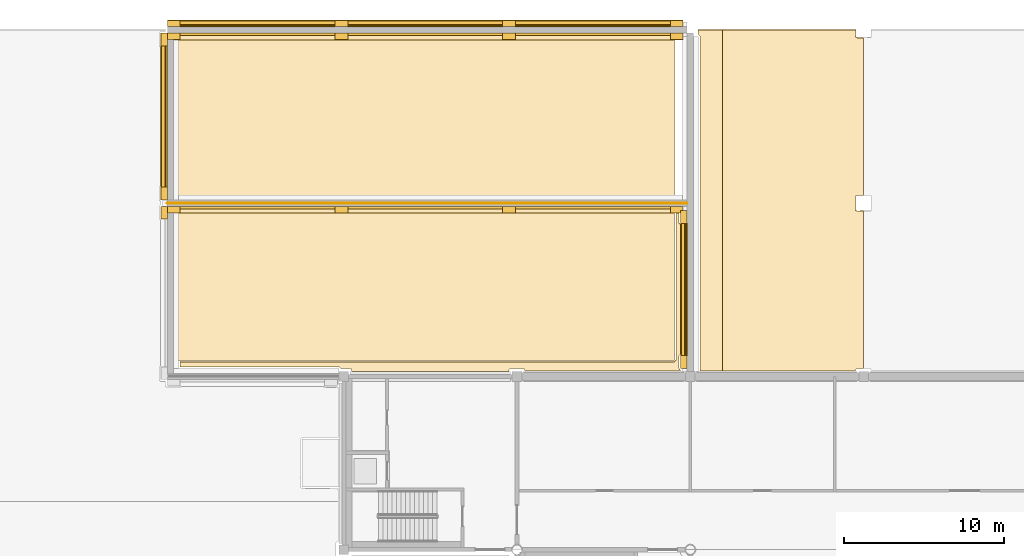
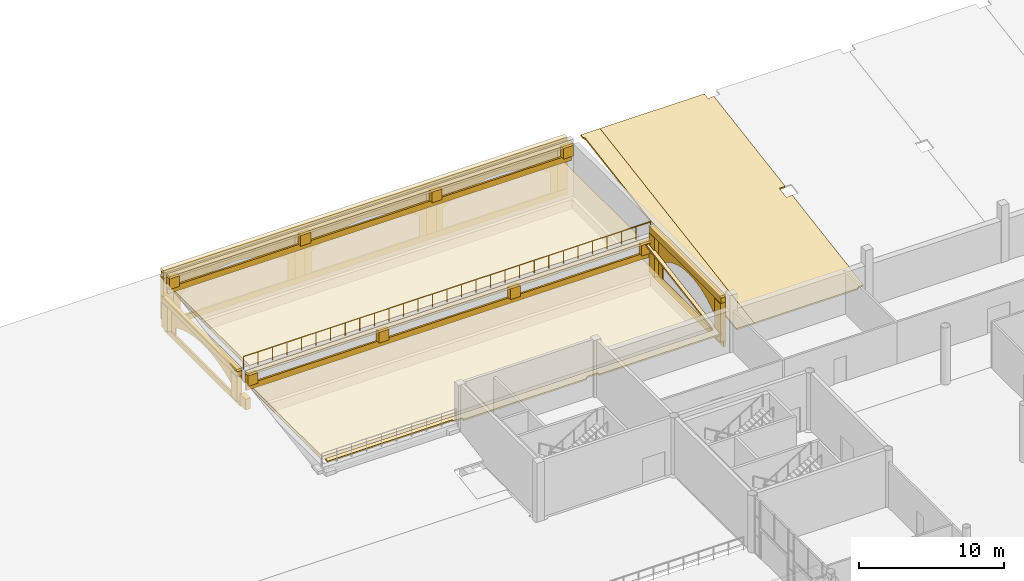
# One storey, part 85 of 91: 40 coverings, 1 railing.
"""IFC4 building model written with IfcOpenShell, lengths in metres."""

import ifcopenshell
import ifcopenshell.guid

model = None  # the IFC model being written
_history = None  # IfcOwnerHistory: only IFC2X3 demands one
_inside = {}  # id of a spatial element -> (the spatial element, [elements in it])
_under = {}  # id of a project, library or spatial element -> (it, [spatial elements below it])
_declared = {}  # id of a project -> (the project, [libraries it declares])
_typed = {}  # id of a type object -> (the type object, [elements of that type])
_made_of = {}  # id of a material, layer set ... -> (it, [elements and type objects made of it])


def new_model(schema):
    """Start an empty IFC model of exactly this schema.

    Asked for "IFC4X3", IfcOpenShell would pick the latest addendum, in which some entities
    have other attributes; the version numbers below select the first issue.
    IFC2X3 requires an IfcOwnerHistory on every rooted entity: one is made here for all.
    """
    global model, _history
    if schema == "IFC4X3":
        model = ifcopenshell.file(schema_version=(4, 3, 0, 0))
    else:
        model = ifcopenshell.file(schema=schema)
    _inside.clear()
    _under.clear()
    _declared.clear()
    _typed.clear()
    _made_of.clear()
    _history = None
    if model.schema == "IFC2X3":
        org = make("IfcOrganization", Name="unknown")
        user = make(
            "IfcPersonAndOrganization",
            ThePerson=make("IfcPerson", FamilyName="unknown"),
            TheOrganization=org,
        )
        app = make(
            "IfcApplication",
            ApplicationDeveloper=org,
            Version="unknown",
            ApplicationFullName="unknown",
            ApplicationIdentifier="unknown",
        )
        _history = make(
            "IfcOwnerHistory",
            OwningUser=user,
            OwningApplication=app,
            ChangeAction="ADDED",
            CreationDate=0,
        )
    return model


def make(cls, **values):
    """One entity of the class cls with the attributes given. An attribute that is None is left unset."""
    return model.create_entity(
        cls, **{name: value for name, value in values.items() if value is not None}
    )


def rooted(cls, **values):
    """An entity with a GlobalId (a new one), such as an element, a storey or a relation."""
    return make(cls, GlobalId=ifcopenshell.guid.new(), OwnerHistory=_history, **values)


def si_unit(unit_type, name, prefix=None):
    """IfcSIUnit, for example si_unit("LENGTHUNIT", "METRE", prefix="MILLI")."""
    return make("IfcSIUnit", UnitType=unit_type, Prefix=prefix, Name=name)


def assignment(units):
    """IfcUnitAssignment: the units of a project."""
    return None if units is None else make("IfcUnitAssignment", Units=units)


def point(xyz):
    """IfcCartesianPoint."""
    return None if xyz is None else make("IfcCartesianPoint", Coordinates=xyz)


def direction(xyz):
    """IfcDirection."""
    return None if xyz is None else make("IfcDirection", DirectionRatios=xyz)


def frame(location, z_axis=None, x_axis=None):
    """IfcAxis2Placement3D, a coordinate frame: its origin and axes. An axis left out is left unset."""
    return make(
        "IfcAxis2Placement3D",
        Location=point(location),
        Axis=direction(z_axis),
        RefDirection=direction(x_axis),
    )


def frame_2d(location, x_axis=None):
    """IfcAxis2Placement2D, a coordinate frame in the plane: its origin and x axis."""
    return make(
        "IfcAxis2Placement2D", Location=point(location), RefDirection=direction(x_axis)
    )


def origin():
    """The frame at (0, 0, 0) with its axes left unset."""
    return frame((0.0, 0.0, 0.0))


def origin_2d():
    """The frame at (0, 0) in the plane with its x axis left unset."""
    return frame_2d((0.0, 0.0))


def place(relative_to, where):
    """IfcLocalPlacement: puts the frame where relative to a parent placement (None: the world)."""
    return make(
        "IfcLocalPlacement", PlacementRelTo=relative_to, RelativePlacement=where
    )


def context(
    kind, dimensions, precision=None, world=None, true_north=None, identifier=None
):
    """IfcGeometricRepresentationContext, for example the 3D "Model" context."""
    return make(
        "IfcGeometricRepresentationContext",
        ContextIdentifier=identifier,
        ContextType=kind,
        CoordinateSpaceDimension=dimensions,
        Precision=precision,
        WorldCoordinateSystem=world,
        TrueNorth=true_north,
    )


def subcontext(parent, identifier, kind, view, scale=None):
    """IfcGeometricRepresentationSubContext, for example "Body" below "Model"."""
    return make(
        "IfcGeometricRepresentationSubContext",
        ContextIdentifier=identifier,
        ContextType=kind,
        ParentContext=parent,
        TargetScale=scale,
        TargetView=view,
    )


def project(units=None, contexts=None):
    """IfcProject with its units and contexts."""
    return rooted(
        "IfcProject",
        Name="project",
        RepresentationContexts=contexts,
        UnitsInContext=assignment(units),
    )


def spatial(cls, under=None, at=None, **own):
    """A site, building, storey or space (cls), placed at a placement, below another one or the project."""
    s = rooted(cls, ObjectPlacement=at, **own)
    if under is not None:
        _under.setdefault(under.id(), (under, []))[1].append(s)
    return s


def polyline(points):
    """IfcPolyline through the points."""
    return make("IfcPolyline", Points=[point(p) for p in points])


def profile(cls, at=None, kind="AREA", **sizes):
    """A parametric profile (cls). Its sizes go by their IFC names, for example OverallWidth=200.0."""
    return make(cls, ProfileType=kind, Position=at, **sizes)


def rectangle(**sizes):
    """IfcRectangleProfileDef."""
    return profile("IfcRectangleProfileDef", **sizes)


def circle(**sizes):
    """IfcCircleProfileDef."""
    return profile("IfcCircleProfileDef", **sizes)


def outline(outer, holes=None, kind="AREA"):
    """IfcArbitraryClosedProfileDef: a profile drawn as a closed curve; with holes, ...WithVoids."""
    if holes is None:
        return make("IfcArbitraryClosedProfileDef", ProfileType=kind, OuterCurve=outer)
    return make(
        "IfcArbitraryProfileDefWithVoids",
        ProfileType=kind,
        OuterCurve=outer,
        InnerCurves=holes,
    )


def extrude(swept, where, along, depth):
    """IfcExtrudedAreaSolid: the profile swept, set in the frame where, extruded along a direction by depth."""
    return make(
        "IfcExtrudedAreaSolid",
        SweptArea=swept,
        Position=where,
        ExtrudedDirection=direction(along),
        Depth=depth,
    )


def shape(context_of_items, identifier, shape_type, items):
    """IfcShapeRepresentation: the items that make up one representation, for example the "Body"."""
    return make(
        "IfcShapeRepresentation",
        ContextOfItems=context_of_items,
        RepresentationIdentifier=identifier,
        RepresentationType=shape_type,
        Items=items,
    )


def material(Name=None, Category=None):
    """IfcMaterial."""
    return make("IfcMaterial", Name=Name, Category=Category)


def layer(
    of_material, thickness, ventilated=None, Name=None, Category=None, Priority=None
):
    """IfcMaterialLayer: one layer of a wall or slab, of a material (None: an air gap)."""
    return make(
        "IfcMaterialLayer",
        Material=of_material,
        LayerThickness=thickness,
        IsVentilated=ventilated,
        Name=Name,
        Category=Category,
        Priority=Priority,
    )


def layer_set(layers, Name=None):
    """IfcMaterialLayerSet."""
    return make("IfcMaterialLayerSet", MaterialLayers=layers, LayerSetName=Name)


def made_of(thing, what):
    """Note that an element or type object is made of a material, layer set ...; save() writes the relation."""
    if what is not None:
        _made_of.setdefault(what.id(), (what, []))[1].append(thing)
    return thing


def type_object(cls, material=None, **own):
    """A type object (cls), such as IfcWallType, which elements share."""
    return made_of(rooted(cls, **own), material)


def element(
    cls,
    number,
    at=None,
    inside=None,
    cuts=None,
    type_object=None,
    material=None,
    context=None,
    identifier="Body",
    shape_type=None,
    held_by="IfcProductDefinitionShape",
    body=None,
    shapes=None,
    **own,
):
    """One element of the class cls, such as IfcWall. Its Tag is "e" and its number.

    at: its placement. inside: the storey or other place that contains it. cuts: it is an
    opening in that element (IfcRelVoidsElement). A single representation is given by context,
    identifier, shape_type and body (its items); several are given by shapes. held_by: the class
    of the entity that holds the representations. save() writes the other relations.
    """
    e = rooted(cls, Tag="e%d" % number, ObjectPlacement=at, **own)
    if body is not None:
        shapes = [shape(context, identifier, shape_type, body)]
    if shapes is not None:
        e.Representation = make(held_by, Representations=shapes)
    if inside is not None:
        _inside.setdefault(inside.id(), (inside, []))[1].append(e)
    if cuts is not None:
        rooted(
            "IfcRelVoidsElement", RelatingBuildingElement=cuts, RelatedOpeningElement=e
        )
    if type_object is not None:
        _typed.setdefault(type_object.id(), (type_object, []))[1].append(e)
    return made_of(e, material)


def aggregate(whole, parts):
    """IfcRelAggregates: a whole, such as a stair, and the parts it consists of."""
    return rooted("IfcRelAggregates", RelatingObject=whole, RelatedObjects=parts)


def save(model, path):
    """Write the relations noted so far, then the file.

    IfcRelAggregates (storeys below a building ...), IfcRelContainedInSpatialStructure (elements
    in a storey), IfcRelDefinesByType, IfcRelAssociatesMaterial and IfcRelDeclares: one each for
    every whole, place, type object, material and project.
    """
    for whole, parts in _under.values():
        aggregate(whole, parts)
    for where, things in _inside.values():
        rooted(
            "IfcRelContainedInSpatialStructure",
            RelatedElements=things,
            RelatingStructure=where,
        )
    for kind, things in _typed.values():
        rooted("IfcRelDefinesByType", RelatedObjects=things, RelatingType=kind)
    for what, things in _made_of.values():
        rooted("IfcRelAssociatesMaterial", RelatedObjects=things, RelatingMaterial=what)
    for by, libraries in _declared.values():
        rooted("IfcRelDeclares", RelatingContext=by, RelatedDefinitions=libraries)
    model.write(path)


model = new_model("IFC4")

# Units and contexts
model_context = context("Model", 3, precision=1e-05, world=origin(), true_north=direction((0.0, 1.0)))
body_context = subcontext(model_context, "Body", "Model", "MODEL_VIEW")
ifc_project = project(units=[si_unit("LENGTHUNIT", "METRE"), si_unit("AREAUNIT", "SQUARE_METRE"), si_unit("VOLUMEUNIT", "CUBIC_METRE"), si_unit("PLANEANGLEUNIT", "RADIAN"), si_unit("MASSUNIT", "GRAM", prefix="KILO")], contexts=[model_context])

# Site, building, storey
site_placement = place(None, origin())
site = spatial("IfcSite", under=ifc_project, at=site_placement, CompositionType="ELEMENT")
building_placement = place(site_placement, origin())
building = spatial("IfcBuilding", under=site, at=building_placement, Name="Magnolia Steps Interchange", CompositionType="ELEMENT")
storey_placement = place(building_placement, origin())
storey = spatial("IfcBuildingStorey", under=building, at=storey_placement, Name="L00", CompositionType="ELEMENT", Elevation=0.0)

# Coverings
ifc_material_1 = material(Name="Lime render")
ifc_layer_1 = layer(ifc_material_1, 0.080078125)
ifc_layer_set_1 = layer_set([ifc_layer_1], Name="Lime render arch infill")
covering_type_1 = type_object("IfcCoveringType", Name="Lime render arch infill", PredefinedType="CLADDING", material=ifc_layer_set_1)
covering_1_placement = place(storey_placement, frame((63.800048828125, 98.25, 0.5), z_axis=(1.0, 0.0, 0.0), x_axis=(0.0, 0.0, 1.0)))
element("IfcCovering", 1, at=covering_1_placement, inside=storey, type_object=covering_type_1, Name="Blind arch retaining wall west 1.1", PredefinedType="CLADDING", context=body_context, shape_type="SweptSolid", body=[
    extrude(outline(polyline([(0.0, 0.0), (1.399902344, 0.0), (1.703613281, -0.397216797), (1.955566406, -0.794433594), (2.163818359, -1.191650391), (2.333496094, -1.588867188), (2.468505859, -1.986083984), (2.570800781, -2.383300781), (2.643066406, -2.780517578), (2.685791016, -3.177734375), (2.699951172, -3.574951172), (2.685791016, -3.972167969), (2.643066406, -4.369384766), (2.570800781, -4.766601562), (2.468505859, -5.163818359), (2.333496094, -5.561035156), (2.163818359, -5.958251953), (1.955566406, -6.355712891), (1.703613281, -6.752685547), (1.399902344, -7.149902344), (0.0, -7.149902344), (0.0, -7.699951172), (3.25, -7.699951172), (3.25, 0.550048828), (0.0, 0.550048828), (0.0, 0.0)])), origin(), (0.0, 0.0, -1.0), 0.080078125),
])
covering_2_placement = place(storey_placement, frame((32.75, 118.199951171875, 0.5), z_axis=(0.0, -1.0, 0.0), x_axis=(0.0, 0.0, 1.0)))
element("IfcCovering", 2, at=covering_2_placement, inside=storey, type_object=covering_type_1, Name="Blind arch terrace street wall W 1.1", PredefinedType="CLADDING", context=body_context, shape_type="SweptSolid", body=[
    extrude(outline(polyline([(0.0, 0.0), (1.800048828, 0.0), (2.093994141, -0.475097656), (2.342773438, -0.949951172), (2.551513672, -1.425048828), (2.723388672, -1.899902344), (2.861083984, -2.375), (2.966552734, -2.850097656), (3.041015625, -3.324951172), (3.085205078, -3.800048828), (3.100097656, -4.274902344), (3.085205078, -4.75), (3.041015625, -5.225097656), (2.966552734, -5.699951172), (2.861083984, -6.175048828), (2.723388672, -6.649902344), (2.551513672, -7.125), (2.342773438, -7.600097656), (2.093994141, -8.074951172), (1.800048828, -8.550048828), (0.0, -8.550048828), (0.0, -9.100097656), (3.649902344, -9.100097656), (3.649902344, 0.550048828), (0.0, 0.550048828), (0.0, 0.0)])), origin(), (0.0, 0.0, -1.0), 0.080078125),
])
covering_3_placement = place(storey_placement, frame((43.199951171875, 118.199951171875, 0.5), z_axis=(0.0, -1.0, 0.0), x_axis=(0.0, 0.0, 1.0)))
element("IfcCovering", 3, at=covering_3_placement, inside=storey, type_object=covering_type_1, Name="Blind arch terrace street wall W 1.2", PredefinedType="CLADDING", context=body_context, shape_type="SweptSolid", body=[
    extrude(outline(polyline([(0.0, 0.0), (1.800048828, 0.0), (2.093994141, -0.475097656), (2.342773438, -0.949951172), (2.551513672, -1.425048828), (2.723388672, -1.900146484), (2.861083984, -2.375), (2.966552734, -2.850097656), (3.041015625, -3.324951172), (3.085205078, -3.800048828), (3.100097656, -4.275146484), (3.085205078, -4.75), (3.041015625, -5.225097656), (2.966552734, -5.699951172), (2.861083984, -6.175048828), (2.723388672, -6.650146484), (2.551513672, -7.125), (2.342773438, -7.600097656), (2.093994141, -8.074951172), (1.800048828, -8.550048828), (0.0, -8.550048828), (0.0, -9.100097656), (3.649902344, -9.100097656), (3.649902344, 0.550048828), (0.0, 0.550048828), (0.0, 0.0)])), origin(), (0.0, 0.0, -1.0), 0.080078125),
])
covering_4_placement = place(storey_placement, frame((53.64990234375, 118.199951171875, 0.5), z_axis=(0.0, -1.0, 0.0), x_axis=(0.0, 0.0, 1.0)))
element("IfcCovering", 4, at=covering_4_placement, inside=storey, type_object=covering_type_1, Name="Blind arch terrace street wall W 1.3", PredefinedType="CLADDING", context=body_context, shape_type="SweptSolid", body=[
    extrude(outline(polyline([(0.0, 0.0), (1.800048828, 0.0), (2.093994141, -0.475097656), (2.342773438, -0.950195312), (2.551513672, -1.425048828), (2.723388672, -1.900146484), (2.861083984, -2.375), (2.966552734, -2.850097656), (3.041015625, -3.325195312), (3.085205078, -3.800048828), (3.100097656, -4.275146484), (3.085205078, -4.75), (3.041015625, -5.225097656), (2.966552734, -5.700195312), (2.861083984, -6.175048828), (2.723388672, -6.650146484), (2.551513672, -7.125), (2.342773438, -7.600097656), (2.093994141, -8.075195312), (1.800048828, -8.550048828), (0.0, -8.550048828), (0.0, -9.100097656), (3.649902344, -9.100097656), (3.649902344, 0.549804688), (0.0, 0.549804688), (0.0, 0.0)])), origin(), (0.0, 0.0, -1.0), 0.080078125),
])
covering_5_placement = place(storey_placement, frame((31.39990234375, 108.75, 0.5), z_axis=(1.0, 0.0, 0.0), x_axis=(0.0, 0.0, 1.0)))
element("IfcCovering", 5, at=covering_5_placement, inside=storey, type_object=covering_type_1, Name="Blind arch terrace end wall W 2 1.1", PredefinedType="CLADDING", context=body_context, shape_type="SweptSolid", body=[
    extrude(outline(polyline([(0.0, 0.0), (0.600097656, 0.0), (0.797363281, -0.427734375), (0.967285156, -0.855712891), (1.112060547, -1.283203125), (1.232421875, -1.711181641), (1.329833984, -2.138916016), (1.404785156, -2.566650391), (1.457763672, -2.994384766), (1.489501953, -3.422119141), (1.5, -3.850097656), (1.489501953, -4.277832031), (1.457763672, -4.705566406), (1.404785156, -5.133300781), (1.329833984, -5.561035156), (1.232421875, -5.989013672), (1.112060547, -6.416748047), (0.967285156, -6.844482422), (0.797363281, -7.272216797), (0.600097656, -7.699951172), (0.0, -7.699951172), (0.0, -8.25), (2.050048828, -8.25), (2.050048828, 0.550048828), (0.0, 0.550048828), (0.0, 0.0)])), origin(), (0.0, 0.0, -1.0), 0.080078125),
])
ifc_material_2 = material(Name="Lime render")
ifc_layer_2 = layer(ifc_material_2, 0.1201171875)
ifc_layer_set_2 = layer_set([ifc_layer_2], Name="Lime render band")
covering_type_2 = type_object("IfcCoveringType", Name="Lime render band", PredefinedType="CLADDING", material=ifc_layer_set_2)
covering_6_placement = place(storey_placement, frame((63.72509765625, 101.824951171875, 0.0), z_axis=(0.0, 0.0, 1.0), x_axis=(1.0, 0.0, 0.0)))
element("IfcCovering", 6, at=covering_6_placement, inside=storey, type_object=covering_type_2, Name="Plinth course retaining wall west 1", PredefinedType="CLADDING", context=body_context, shape_type="SweptSolid", body=[
    extrude(rectangle(XDim=0.14990234375, YDim=9.85009765625, at=origin_2d()), origin(), (0.0, 0.0, 1.0), 0.5),
])
covering_7_placement = place(storey_placement, frame((63.625, 101.824951171875, 3.75), z_axis=(0.0, 0.0, 1.0), x_axis=(1.0, 0.0, 0.0)))
element("IfcCovering", 7, at=covering_7_placement, inside=storey, type_object=covering_type_2, Name="Cornice retaining wall west 1", PredefinedType="CLADDING", context=body_context, shape_type="SweptSolid", body=[
    extrude(rectangle(XDim=0.35009765625, YDim=9.85009765625, at=origin_2d()), origin(), (0.0, 0.0, 1.0), 0.449951171875),
])
covering_8_placement = place(storey_placement, frame((63.590087890625, 101.824951171875, 4.2001953125), z_axis=(0.0, 0.0, 1.0), x_axis=(1.0, 0.0, 0.0)))
element("IfcCovering", 8, at=covering_8_placement, inside=storey, type_object=covering_type_2, Name="Coping retaining wall west 1", PredefinedType="CLADDING", context=body_context, shape_type="SweptSolid", body=[
    extrude(rectangle(XDim=0.419921875, YDim=9.85009765625, at=origin_2d()), origin(), (0.0, 0.0, 1.0), 0.199951171875),
])
covering_9_placement = place(storey_placement, frame((47.47509765625, 106.925048828125, 1.60009765625), z_axis=(0.0, 0.0, 1.0), x_axis=(1.0, 0.0, 0.0)))
element("IfcCovering", 9, at=covering_9_placement, inside=storey, type_object=covering_type_2, Name="Plinth course terrace wall W 2 1", PredefinedType="CLADDING", context=body_context, shape_type="SweptSolid", body=[
    extrude(rectangle(XDim=32.14990234375, YDim=0.14990234375, at=origin_2d()), origin(), (0.0, 0.0, 1.0), 0.5),
])
covering_10_placement = place(storey_placement, frame((47.47509765625, 106.7900390625, 3.0), z_axis=(0.0, 0.0, 1.0), x_axis=(1.0, 0.0, 0.0)))
element("IfcCovering", 10, at=covering_10_placement, inside=storey, type_object=covering_type_2, Name="Coping terrace wall W 2 1", PredefinedType="CLADDING", context=body_context, shape_type="SweptSolid", body=[
    extrude(rectangle(XDim=32.14990234375, YDim=0.419921875, at=origin_2d()), origin(), (0.0, 0.0, 1.0), 0.199951171875),
])
covering_11_placement = place(storey_placement, frame((47.47509765625, 117.72509765625, 3.199951171875), z_axis=(0.0, 0.0, 1.0), x_axis=(1.0, 0.0, 0.0)))
element("IfcCovering", 11, at=covering_11_placement, inside=storey, type_object=covering_type_2, Name="Plinth course terrace wall W 3 1", PredefinedType="CLADDING", context=body_context, shape_type="SweptSolid", body=[
    extrude(rectangle(XDim=32.14990234375, YDim=0.14990234375, at=origin_2d()), origin(), (0.0, 0.0, 1.0), 0.5),
])
covering_12_placement = place(storey_placement, frame((47.47509765625, 117.590087890625, 4.60009765625), z_axis=(0.0, 0.0, 1.0), x_axis=(1.0, 0.0, 0.0)))
element("IfcCovering", 12, at=covering_12_placement, inside=storey, type_object=covering_type_2, Name="Coping terrace wall W 3 1", PredefinedType="CLADDING", context=body_context, shape_type="SweptSolid", body=[
    extrude(rectangle(XDim=32.14990234375, YDim=0.419921875, at=origin_2d()), origin(), (0.0, 0.0, 1.0), 0.199951171875),
])
covering_13_placement = place(storey_placement, frame((47.47509765625, 118.27490234375, 0.0), z_axis=(0.0, 0.0, 1.0), x_axis=(1.0, 0.0, 0.0)))
element("IfcCovering", 13, at=covering_13_placement, inside=storey, type_object=covering_type_2, Name="Plinth course terrace street wall W 1", PredefinedType="CLADDING", context=body_context, shape_type="SweptSolid", body=[
    extrude(rectangle(XDim=32.14990234375, YDim=0.14990234375, at=origin_2d()), origin(), (0.0, 0.0, 1.0), 0.5),
])
covering_14_placement = place(storey_placement, frame((47.47509765625, 118.375, 4.14990234375), z_axis=(0.0, 0.0, 1.0), x_axis=(1.0, 0.0, 0.0)))
element("IfcCovering", 14, at=covering_14_placement, inside=storey, type_object=covering_type_2, Name="Cornice terrace street wall W 1", PredefinedType="CLADDING", context=body_context, shape_type="SweptSolid", body=[
    extrude(rectangle(XDim=32.14990234375, YDim=0.35009765625, at=origin_2d()), origin(), (0.0, 0.0, 1.0), 0.449951171875),
])
covering_15_placement = place(storey_placement, frame((47.47509765625, 118.409912109375, 4.60009765625), z_axis=(0.0, 0.0, 1.0), x_axis=(1.0, 0.0, 0.0)))
element("IfcCovering", 15, at=covering_15_placement, inside=storey, type_object=covering_type_2, Name="Coping terrace street wall W 1", PredefinedType="CLADDING", context=body_context, shape_type="SweptSolid", body=[
    extrude(rectangle(XDim=32.14990234375, YDim=0.419921875, at=origin_2d()), origin(), (0.0, 0.0, 1.0), 0.199951171875),
])
covering_16_placement = place(storey_placement, frame((31.324951171875, 112.60009765625, 0.0), z_axis=(0.0, 0.0, 1.0), x_axis=(1.0, 0.0, 0.0)))
element("IfcCovering", 16, at=covering_16_placement, inside=storey, type_object=covering_type_2, Name="Plinth course terrace end wall W 2 1", PredefinedType="CLADDING", context=body_context, shape_type="SweptSolid", body=[
    extrude(rectangle(XDim=0.14990234375, YDim=10.39990234375, at=origin_2d()), origin(), (0.0, 0.0, 1.0), 0.5),
])
covering_17_placement = place(storey_placement, frame((31.22509765625, 112.60009765625, 2.5498046875), z_axis=(0.0, 0.0, 1.0), x_axis=(1.0, 0.0, 0.0)))
element("IfcCovering", 17, at=covering_17_placement, inside=storey, type_object=covering_type_2, Name="Cornice terrace end wall W 2 1", PredefinedType="CLADDING", context=body_context, shape_type="SweptSolid", body=[
    extrude(rectangle(XDim=0.35009765625, YDim=10.39990234375, at=origin_2d()), origin(), (0.0, 0.0, 1.0), 0.449951171875),
])
covering_18_placement = place(storey_placement, frame((31.18994140625, 112.60009765625, 3.0), z_axis=(0.0, 0.0, 1.0), x_axis=(1.0, 0.0, 0.0)))
element("IfcCovering", 18, at=covering_18_placement, inside=storey, type_object=covering_type_2, Name="Coping terrace end wall W 2 1", PredefinedType="CLADDING", context=body_context, shape_type="SweptSolid", body=[
    extrude(rectangle(XDim=0.419921875, YDim=10.39990234375, at=origin_2d()), origin(), (0.0, 0.0, 1.0), 0.199951171875),
])
ifc_material_3 = material(Name="Lime render")
ifc_layer_3 = layer(ifc_material_3, 0.39990234375)
ifc_layer_set_3 = layer_set([ifc_layer_3], Name="Lime render pilaster")
covering_type_3 = type_object("IfcCoveringType", Name="Lime render pilaster", PredefinedType="CLADDING", material=ifc_layer_set_3)
for number, where, z_axis, x_axis, name in (
    (19, (63.60009765625, 97.300048828125, 0.5), (0.0, 0.0, 1.0), (1.0, 0.0, 0.0), "Pilaster retaining wall west 1.1"),
    (20, (63.60009765625, 106.35009765625, 0.5), (0.0, 0.0, 1.0), (1.0, 0.0, 0.0), "Pilaster retaining wall west 1.2"),
):
    element("IfcCovering", number, at=place(storey_placement, frame(where, z_axis=z_axis, x_axis=x_axis)), inside=storey, type_object=covering_type_3, Name=name, PredefinedType="CLADDING", context=body_context, shape_type="SweptSolid", body=[
        extrude(rectangle(XDim=0.39990234375, YDim=0.800048828125, at=origin_2d()), origin(), (0.0, 0.0, 1.0), 3.25),
    ])
for number, where, z_axis, x_axis, name in (
    (21, (31.800048828125, 106.800048828125, 2.10009765625), (0.0, 0.0, 1.0), (1.0, 0.0, 0.0), "Pilaster terrace wall W 2 1.1"),
    (22, (42.25, 106.800048828125, 2.10009765625), (0.0, 0.0, 1.0), (1.0, 0.0, 0.0), "Pilaster terrace wall W 2 1.2"),
    (23, (52.699951171875, 106.800048828125, 2.10009765625), (0.0, 0.0, 1.0), (1.0, 0.0, 0.0), "Pilaster terrace wall W 2 1.3"),
    (24, (63.14990234375, 106.800048828125, 2.10009765625), (0.0, 0.0, 1.0), (1.0, 0.0, 0.0), "Pilaster terrace wall W 2 1.4"),
    (25, (31.800048828125, 117.60009765625, 3.699951171875), (0.0, 0.0, 1.0), (1.0, 0.0, 0.0), "Pilaster terrace wall W 3 1.1"),
    (26, (42.25, 117.60009765625, 3.699951171875), (0.0, 0.0, 1.0), (1.0, 0.0, 0.0), "Pilaster terrace wall W 3 1.2"),
    (27, (52.699951171875, 117.60009765625, 3.699951171875), (0.0, 0.0, 1.0), (1.0, 0.0, 0.0), "Pilaster terrace wall W 3 1.3"),
    (28, (63.14990234375, 117.60009765625, 3.699951171875), (0.0, 0.0, 1.0), (1.0, 0.0, 0.0), "Pilaster terrace wall W 3 1.4"),
):
    element("IfcCovering", number, at=place(storey_placement, frame(where, z_axis=z_axis, x_axis=x_axis)), inside=storey, type_object=covering_type_3, Name=name, PredefinedType="CLADDING", context=body_context, shape_type="SweptSolid", body=[
        extrude(rectangle(XDim=0.800048828125, YDim=0.39990234375, at=origin_2d()), origin(), (0.0, 0.0, 1.0), 0.89990234375),
    ])
for number, where, z_axis, x_axis, name in (
    (29, (31.800048828125, 118.39990234375, 0.5), (0.0, 0.0, 1.0), (1.0, 0.0, 0.0), "Pilaster terrace street wall W 1.1"),
    (30, (42.25, 118.39990234375, 0.5), (0.0, 0.0, 1.0), (1.0, 0.0, 0.0), "Pilaster terrace street wall W 1.2"),
    (31, (52.699951171875, 118.39990234375, 0.5), (0.0, 0.0, 1.0), (1.0, 0.0, 0.0), "Pilaster terrace street wall W 1.3"),
    (32, (63.14990234375, 118.39990234375, 0.5), (0.0, 0.0, 1.0), (1.0, 0.0, 0.0), "Pilaster terrace street wall W 1.4"),
):
    element("IfcCovering", number, at=place(storey_placement, frame(where, z_axis=z_axis, x_axis=x_axis)), inside=storey, type_object=covering_type_3, Name=name, PredefinedType="CLADDING", context=body_context, shape_type="SweptSolid", body=[
        extrude(rectangle(XDim=0.800048828125, YDim=0.39990234375, at=origin_2d()), origin(), (0.0, 0.0, 1.0), 3.64990234375),
    ])
covering_19_placement = place(storey_placement, frame((31.199951171875, 106.60009765625, 0.5), z_axis=(0.0, 0.0, 1.0), x_axis=(1.0, 0.0, 0.0)))
element("IfcCovering", 33, at=covering_19_placement, inside=storey, type_object=covering_type_3, Name="Pilaster terrace end wall W 1 1.2", PredefinedType="CLADDING", context=body_context, shape_type="SweptSolid", body=[
    extrude(rectangle(XDim=0.39990234375, YDim=0.800048828125, at=origin_2d()), origin(), (0.0, 0.0, 1.0), 0.89990234375),
])
for number, where, z_axis, x_axis, name in (
    (34, (31.199951171875, 107.800048828125, 0.5), (0.0, 0.0, 1.0), (1.0, 0.0, 0.0), "Pilaster terrace end wall W 2 1.1"),
    (35, (31.199951171875, 117.39990234375, 0.5), (0.0, 0.0, 1.0), (1.0, 0.0, 0.0), "Pilaster terrace end wall W 2 1.2"),
):
    element("IfcCovering", number, at=place(storey_placement, frame(where, z_axis=z_axis, x_axis=x_axis)), inside=storey, type_object=covering_type_3, Name=name, PredefinedType="CLADDING", context=body_context, shape_type="SweptSolid", body=[
        extrude(rectangle(XDim=0.39990234375, YDim=0.800048828125, at=origin_2d()), origin(), (0.0, 0.0, 1.0), 2.050048828125),
    ])
ifc_material_4 = material(Name="Topsoil and turf on compacted fill")
ifc_layer_4 = layer(ifc_material_4, 0.14990234375)
ifc_layer_set_4 = layer_set([ifc_layer_4], Name="Planted bank 150")
covering_type_4 = type_object("IfcCoveringType", Name="Planted bank 150", PredefinedType="FLOORING", material=ifc_layer_set_4)
covering_20_placement = place(storey_placement, frame((64.60009765625, 96.75, 1.33056640625), z_axis=(-4.8355354e-05, -0.161136561369, 0.986932118361), x_axis=(-3.3e-10, 0.986932119515, 0.161136561557)))
element("IfcCovering", 36, at=covering_20_placement, inside=storey, type_object=covering_type_4, Name="Planted bank north west 2", PredefinedType="FLOORING", context=body_context, shape_type="SweptSolid", body=[
    extrude(outline(polyline([(0.0, 0.0), (21.126148425, 0.0), (21.227332846, 0.100097654), (21.531368008, 0.117187493), (21.531368007, -1.399902349), (0.0, -1.399902342), (0.0, 0.0)])), origin(), (0.0, 0.0, -1.0), 0.14990234375),
])
covering_21_placement = place(storey_placement, frame((63.300048828125, 106.60009765625, 2.938720703125), z_axis=(4.701413e-06, -0.161272371698, 0.986909936167), x_axis=(0.000730261793, -0.986909672473, -0.161272332086)))
element("IfcCovering", 37, at=covering_21_placement, inside=storey, type_object=covering_type_4, Name="Planted bank north west 3", PredefinedType="FLOORING", context=body_context, shape_type="SweptSolid", body=[
    extrude(outline(polyline([(0.0, 0.0), (0.66863755, 0.0), (0.759981111, 0.099298556), (8.916637084, 0.093342055), (9.008076464, -0.006089981), (9.82863006, -0.007177481), (9.980580365, 0.092565097), (9.973496861, -9.607383488), (9.823286627, -9.687840223), (9.820962311, -10.507174681), (9.874320074, -10.595348436), (9.998012306, -10.607401657), (9.990855705, -20.407447872), (9.817855716, -20.478122338), (9.813221465, -21.107269511), (9.711723201, -21.207048933), (9.704493502, -31.107192778), (9.400458413, -31.106970753), (9.422950511, -0.306930137), (9.321839209, -0.206758617), (-0.000146017, -0.199951119), (0.0, 0.0)])), origin(), (0.0, 0.0, -1.0), 0.14990234375),
])
covering_22_placement = place(storey_placement, frame((74.791259765625, 96.899169921875, 1.35498046875), z_axis=(2.29743e-06, -0.161136300649, 0.98693216211), x_axis=(-0.999998294233, 0.001822524558, 0.000299891221)))
element("IfcCovering", 38, at=covering_22_placement, inside=storey, type_object=covering_type_4, Name="Planted bank north centre 2", PredefinedType="FLOORING", context=body_context, shape_type="SweptSolid", body=[
    extrude(outline(polyline([(0.0, 0.0), (0.391358089, 0.0), (0.4742831, 0.044906092), (0.490930912, 0.152061609), (8.790965582, 0.167392061), (8.830734697, -21.363939219), (0.510436389, -21.379307098), (0.518144697, -20.926349573), (0.429910965, -20.872849354), (0.038578824, -20.886898213), (0.020158667, -10.91407117), (0.482071942, -10.913218), (0.497932507, -9.983300477), (0.409698774, -9.929800258), (0.018366706, -9.943888456), (0.0, 0.0)])), origin(), (0.0, 0.0, -1.0), 0.14990234375),
])
ifc_material_5 = material(Name="Planting soil")
ifc_layer_5 = layer(ifc_material_5, 0.449951171875)
ifc_layer_set_5 = layer_set([ifc_layer_5], Name="Planting soil 450")
covering_type_5 = type_object("IfcCoveringType", Name="Planting soil 450", PredefinedType="FLOORING", material=ifc_layer_set_5)
covering_23_placement = place(storey_placement, frame((47.5, 102.199951171875, 1.2998046875), z_axis=(0.0, 0.0, 1.0), x_axis=(1.0, 0.0, 0.0)))
element("IfcCovering", 39, at=covering_23_placement, inside=storey, type_object=covering_type_5, Name="Terrace planting bed W 1", PredefinedType="FLOORING", context=body_context, shape_type="SweptSolid", body=[
    extrude(rectangle(XDim=31.0, YDim=9.60009765625, at=origin_2d()), origin(), (0.0, 0.0, 1.0), 0.300048828125),
])
covering_24_placement = place(storey_placement, frame((47.5, 112.60009765625, 2.89990234375), z_axis=(0.0, 0.0, 1.0), x_axis=(1.0, 0.0, 0.0)))
element("IfcCovering", 40, at=covering_24_placement, inside=storey, type_object=covering_type_5, Name="Terrace planting bed W 2", PredefinedType="FLOORING", context=body_context, shape_type="SweptSolid", body=[
    extrude(rectangle(XDim=31.0, YDim=10.39990234375, at=origin_2d()), origin(), (0.0, 0.0, 1.0), 0.300048828125),
])

# Railing
ifc_material_6 = material(Name="Painted steel Q355B", Category="steel")
railing_type = type_object("IfcRailingType", Name="Steel balustrade guard 1100", PredefinedType="GUARDRAIL", material=ifc_material_6)
railing_placement = place(storey_placement, frame((31.39990234375, 107.199951171875, 3.199951171875)))
element("IfcRailing", 41, at=railing_placement, inside=storey, type_object=railing_type, Name="Terrace guard W 2", PredefinedType="GUARDRAIL", context=body_context, shape_type="SweptSolid", body=[
    extrude(circle(Radius=0.030029296875, at=origin_2d()), frame((0.0, 0.0, 1.070068359375), z_axis=(1.0, 0.0, 0.0), x_axis=(0.0, 1.0, 0.0)), (0.0, 0.0, 1.0), 32.400146484375),
    extrude(circle(Radius=0.02001953125, at=origin_2d()), origin(), (0.0, 0.0, 1.0), 1.0400390625),
    extrude(circle(Radius=0.02001953125, at=origin_2d()), frame((1.1572265625, 0.0, 0.0)), (0.0, 0.0, 1.0), 1.0400390625),
    extrude(circle(Radius=0.02001953125, at=origin_2d()), frame((2.314208984375, 0.0, 0.0)), (0.0, 0.0, 1.0), 1.0400390625),
    extrude(circle(Radius=0.02001953125, at=origin_2d()), frame((3.471435546875, 0.0, 0.0)), (0.0, 0.0, 1.0), 1.0400390625),
    extrude(circle(Radius=0.02001953125, at=origin_2d()), frame((4.628662109375, 0.0, 0.0)), (0.0, 0.0, 1.0), 1.0400390625),
    extrude(circle(Radius=0.02001953125, at=origin_2d()), frame((5.78564453125, 0.0, 0.0)), (0.0, 0.0, 1.0), 1.0400390625),
    extrude(circle(Radius=0.02001953125, at=origin_2d()), frame((6.94287109375, 0.0, 0.0)), (0.0, 0.0, 1.0), 1.0400390625),
    extrude(circle(Radius=0.02001953125, at=origin_2d()), frame((8.10009765625, 0.0, 0.0)), (0.0, 0.0, 1.0), 1.0400390625),
    extrude(circle(Radius=0.02001953125, at=origin_2d()), frame((9.257080078125, 0.0, 0.0)), (0.0, 0.0, 1.0), 1.0400390625),
    extrude(circle(Radius=0.02001953125, at=origin_2d()), frame((10.414306640625, 0.0, 0.0)), (0.0, 0.0, 1.0), 1.0400390625),
    extrude(circle(Radius=0.02001953125, at=origin_2d()), frame((11.571533203125, 0.0, 0.0)), (0.0, 0.0, 1.0), 1.0400390625),
    extrude(circle(Radius=0.02001953125, at=origin_2d()), frame((12.728515625, 0.0, 0.0)), (0.0, 0.0, 1.0), 1.0400390625),
    extrude(circle(Radius=0.02001953125, at=origin_2d()), frame((13.8857421875, 0.0, 0.0)), (0.0, 0.0, 1.0), 1.0400390625),
    extrude(circle(Radius=0.02001953125, at=origin_2d()), frame((15.04296875, 0.0, 0.0)), (0.0, 0.0, 1.0), 1.0400390625),
    extrude(circle(Radius=0.02001953125, at=origin_2d()), frame((16.2001953125, 0.0, 0.0)), (0.0, 0.0, 1.0), 1.0400390625),
    extrude(circle(Radius=0.02001953125, at=origin_2d()), frame((17.357177734375, 0.0, 0.0)), (0.0, 0.0, 1.0), 1.0400390625),
    extrude(circle(Radius=0.02001953125, at=origin_2d()), frame((18.514404296875, 0.0, 0.0)), (0.0, 0.0, 1.0), 1.0400390625),
    extrude(circle(Radius=0.02001953125, at=origin_2d()), frame((19.671630859375, 0.0, 0.0)), (0.0, 0.0, 1.0), 1.0400390625),
    extrude(circle(Radius=0.02001953125, at=origin_2d()), frame((20.82861328125, 0.0, 0.0)), (0.0, 0.0, 1.0), 1.0400390625),
    extrude(circle(Radius=0.02001953125, at=origin_2d()), frame((21.98583984375, 0.0, 0.0)), (0.0, 0.0, 1.0), 1.0400390625),
    extrude(circle(Radius=0.02001953125, at=origin_2d()), frame((23.14306640625, 0.0, 0.0)), (0.0, 0.0, 1.0), 1.0400390625),
    extrude(circle(Radius=0.02001953125, at=origin_2d()), frame((24.300048828125, 0.0, 0.0)), (0.0, 0.0, 1.0), 1.0400390625),
    extrude(circle(Radius=0.02001953125, at=origin_2d()), frame((25.457275390625, 0.0, 0.0)), (0.0, 0.0, 1.0), 1.0400390625),
    extrude(circle(Radius=0.02001953125, at=origin_2d()), frame((26.614501953125, 0.0, 0.0)), (0.0, 0.0, 1.0), 1.0400390625),
    extrude(circle(Radius=0.02001953125, at=origin_2d()), frame((27.771484375, 0.0, 0.0)), (0.0, 0.0, 1.0), 1.0400390625),
    extrude(circle(Radius=0.02001953125, at=origin_2d()), frame((28.9287109375, 0.0, 0.0)), (0.0, 0.0, 1.0), 1.0400390625),
    extrude(circle(Radius=0.02001953125, at=origin_2d()), frame((30.0859375, 0.0, 0.0)), (0.0, 0.0, 1.0), 1.0400390625),
    extrude(circle(Radius=0.02001953125, at=origin_2d()), frame((31.242919921875, 0.0, 0.0)), (0.0, 0.0, 1.0), 1.0400390625),
    extrude(circle(Radius=0.02001953125, at=origin_2d()), frame((32.400146484375, 0.0, 0.0)), (0.0, 0.0, 1.0), 1.0400390625),
])

save(model, "model.ifc")
